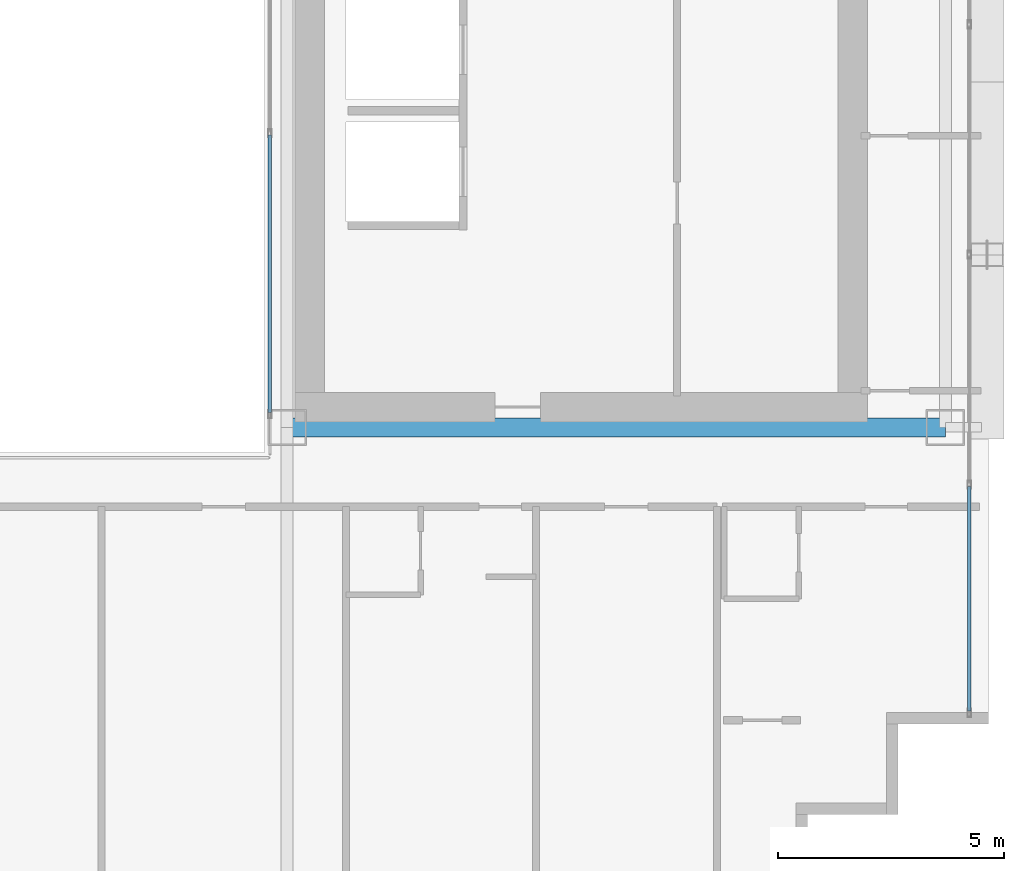
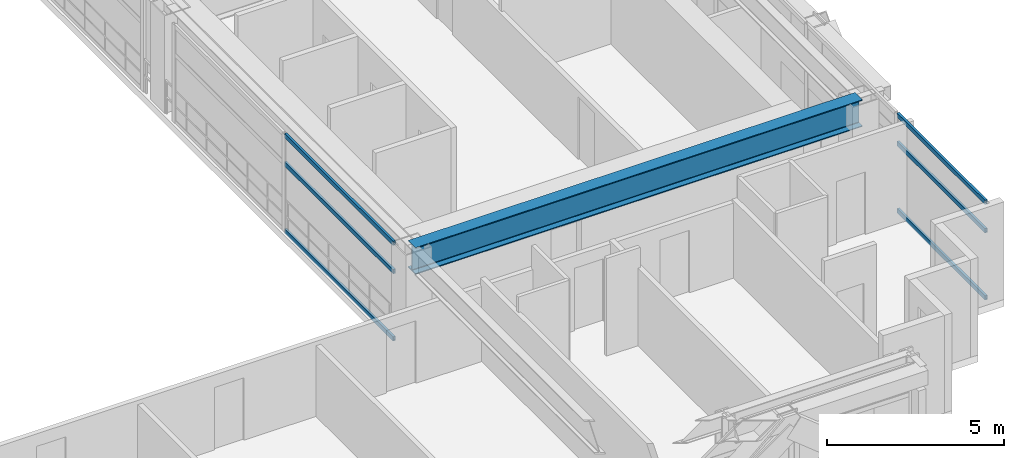
# One storey, part 13 of 39: 6 members, 1 beam, 2 elements without a shape of their own.
"""IFC4 building model written with IfcOpenShell, lengths in metres."""

from ifc_helpers import new_model, si_unit, direction, frame, origin, origin_2d, place, context, subcontext, project, spatial, hollow_rectangle, i_section, extrude, source, transform, mapped, material, layer, layer_set, material_profile, profile_set, type_object, element, aggregate, save


model = new_model("IFC4")

# Units and contexts
model_context = context("Model", 3, precision=1e-05, world=origin(), true_north=direction((0.0, 1.0)))
body_context = subcontext(model_context, "Body", "Model", "MODEL_VIEW")
ifc_project = project(units=[si_unit("LENGTHUNIT", "METRE"), si_unit("AREAUNIT", "SQUARE_METRE"), si_unit("VOLUMEUNIT", "CUBIC_METRE"), si_unit("PLANEANGLEUNIT", "RADIAN"), si_unit("MASSUNIT", "GRAM", prefix="KILO")], contexts=[model_context])

# Site, building, storey
site_placement = place(None, origin())
site = spatial("IfcSite", under=ifc_project, at=site_placement, CompositionType="ELEMENT")
building_placement = place(site_placement, origin())
building = spatial("IfcBuilding", under=site, at=building_placement, Name="Ocotamira Hotel", CompositionType="ELEMENT")
storey_placement = place(building_placement, frame((0.0, 0.0, 126.0)))
storey = spatial("IfcBuildingStorey", under=building, at=storey_placement, Name="L31", CompositionType="ELEMENT", Elevation=126.0)

# Beam
ifc_material_1 = material(Name="Steel ASTM A992 Grade 50", Category="steel")
ifc_material_profile_1 = material_profile(ifc_material_1, i_section(OverallWidth=0.41796875, OverallDepth=0.927001953125, WebThickness=0.019287109375, FlangeThickness=0.031982421875, FilletRadius=0.02392578125, at=origin_2d()), Name="W36X231")
ifc_profile_set_1 = profile_set([ifc_material_profile_1], Name="Steel ASTM A992 Grade 50")
beam_type = type_object("IfcBeamType", Name="BM-GIRD-W36X231", PredefinedType="BEAM", material=ifc_profile_set_1)
shared_shape_1 = source(origin(), body_context, "Body", "SweptSolid", [
    extrude(i_section(OverallWidth=0.41796875, OverallDepth=0.927001953125, WebThickness=0.019287109375, FlangeThickness=0.031982421875, FilletRadius=0.02392578125, at=origin_2d()), origin(), (0.0, 0.0, 1.0), 14.550048828125),
])
beam_placement = place(storey_placement, frame((40.5, 14.550048828125, 2.896484375), z_axis=(1.0, 0.0, 0.0), x_axis=(0.0, 1.0, 0.0)))
element("IfcBeam", 1, at=beam_placement, inside=storey, type_object=beam_type, Name="L31 Girder Y14.55 X40.5-55.05", PredefinedType="BEAM", context=body_context, shape_type="MappedRepresentation", body=[
    mapped(shared_shape_1, transform((0.0, 0.0, 0.0), scale=1.0)),
])

# Curtain wall, members
ifc_material_2 = material(Name="Anodised pale-metal aluminium and solar glass", Category="aluminium")
ifc_layer_1 = layer(ifc_material_2, 0.179931640625)
ifc_layer_set_1 = layer_set([ifc_layer_1], Name="Anodised pale-metal aluminium and solar glass")
curtain_wall_type_1 = type_object("IfcCurtainWallType", Name="CW-SYS3-Z2", PredefinedType="NOTDEFINED", material=ifc_layer_set_1)
curtain_wall_1_placement = place(storey_placement, origin())
curtain_wall_1 = element("IfcCurtainWall", 2, at=curtain_wall_1_placement, inside=storey, type_object=curtain_wall_type_1, Name="L31 Curtain Wall CW-3 CW-L31-E", PredefinedType="NOTDEFINED")
ifc_material_3 = material(Name="Anodised pale-metal aluminium 6063-T6", Category="aluminium")
ifc_material_profile_2 = material_profile(ifc_material_3, hollow_rectangle(XDim=0.074951171875, YDim=0.14990234375, WallThickness=0.006103515625, at=origin_2d()), Name="HSS150X75X6")
ifc_profile_set_2 = profile_set([ifc_material_profile_2], Name="Anodised pale-metal aluminium 6063-T6")
member_type = type_object("IfcMemberType", Name="CWT-150X75", PredefinedType="USERDEFINED", material=ifc_profile_set_2)
shared_shape_2 = source(origin(), body_context, "Body", "SweptSolid", [
    extrude(hollow_rectangle(XDim=0.074951171875, YDim=0.14990234375, WallThickness=0.006103515625, at=origin_2d()), origin(), (0.0, 0.0, 1.0), 4.965576171875),
])
member_1_placement = place(storey_placement, frame((55.580078125, 8.280029296875, 0.03759765625), z_axis=(0.0, 1.0, 0.0), x_axis=(-1.0, 0.0, 0.0)))
member_1 = element("IfcMember", 3, at=member_1_placement, type_object=member_type, Name="CW-3 transom 1.1", ObjectType="TRANSOM", PredefinedType="USERDEFINED", context=body_context, shape_type="MappedRepresentation", body=[
    mapped(shared_shape_2, transform((0.0, 0.0, 0.0), scale=1.0)),
])
member_2_placement = place(storey_placement, frame((55.580078125, 8.280029296875, 2.35009765625), z_axis=(0.0, 1.0, 0.0), x_axis=(-1.0, 0.0, 0.0)))
member_2 = element("IfcMember", 4, at=member_2_placement, type_object=member_type, Name="CW-3 transom 1.2", ObjectType="TRANSOM", PredefinedType="USERDEFINED", context=body_context, shape_type="MappedRepresentation", body=[
    mapped(shared_shape_2, transform((0.0, 0.0, 0.0), scale=1.0)),
])
member_3_placement = place(storey_placement, frame((55.580078125, 8.280029296875, 3.322509765625), z_axis=(0.0, 1.0, 0.0), x_axis=(-1.0, 0.0, 0.0)))
member_3 = element("IfcMember", 5, at=member_3_placement, type_object=member_type, Name="CW-3 transom 1.3", ObjectType="TRANSOM", PredefinedType="USERDEFINED", context=body_context, shape_type="MappedRepresentation", body=[
    mapped(shared_shape_2, transform((0.0, 0.0, 0.0), scale=1.0)),
])
aggregate(curtain_wall_1, [member_1, member_2, member_3])

ifc_layer_2 = layer(ifc_material_2, 0.159912109375)
ifc_layer_set_2 = layer_set([ifc_layer_2], Name="Anodised pale-metal aluminium and solar glass")
curtain_wall_type_2 = type_object("IfcCurtainWallType", Name="CW-SYS6-ATR", PredefinedType="NOTDEFINED", material=ifc_layer_set_2)
curtain_wall_2_placement = place(storey_placement, origin())
curtain_wall_2 = element("IfcCurtainWall", 6, at=curtain_wall_2_placement, inside=storey, type_object=curtain_wall_type_2, Name="L31 Curtain Wall CW-6 CW-L31-ATRE1", PredefinedType="NOTDEFINED")
shared_shape_3 = source(origin(), body_context, "Body", "SweptSolid", [
    extrude(hollow_rectangle(XDim=0.074951171875, YDim=0.14990234375, WallThickness=0.006103515625, at=origin_2d()), origin(), (0.0, 0.0, 1.0), 6.130126953125),
])
member_4_placement = place(storey_placement, frame((40.1201171875, 14.8798828125, 0.03759765625), z_axis=(0.0, 1.0, 0.0), x_axis=(-1.0, 0.0, 0.0)))
member_4 = element("IfcMember", 7, at=member_4_placement, type_object=member_type, Name="CW-6 transom 1.1", ObjectType="TRANSOM", PredefinedType="USERDEFINED", context=body_context, shape_type="MappedRepresentation", body=[
    mapped(shared_shape_3, transform((0.0, 0.0, 0.0), scale=1.0)),
])
member_5_placement = place(storey_placement, frame((40.1201171875, 14.8798828125, 2.35009765625), z_axis=(0.0, 1.0, 0.0), x_axis=(-1.0, 0.0, 0.0)))
member_5 = element("IfcMember", 8, at=member_5_placement, type_object=member_type, Name="CW-6 transom 1.2", ObjectType="TRANSOM", PredefinedType="USERDEFINED", context=body_context, shape_type="MappedRepresentation", body=[
    mapped(shared_shape_3, transform((0.0, 0.0, 0.0), scale=1.0)),
])
member_6_placement = place(storey_placement, frame((40.1201171875, 14.8798828125, 3.322509765625), z_axis=(0.0, 1.0, 0.0), x_axis=(-1.0, 0.0, 0.0)))
member_6 = element("IfcMember", 9, at=member_6_placement, type_object=member_type, Name="CW-6 transom 1.3", ObjectType="TRANSOM", PredefinedType="USERDEFINED", context=body_context, shape_type="MappedRepresentation", body=[
    mapped(shared_shape_3, transform((0.0, 0.0, 0.0), scale=1.0)),
])
aggregate(curtain_wall_2, [member_4, member_5, member_6])

save(model, "model.ifc")
